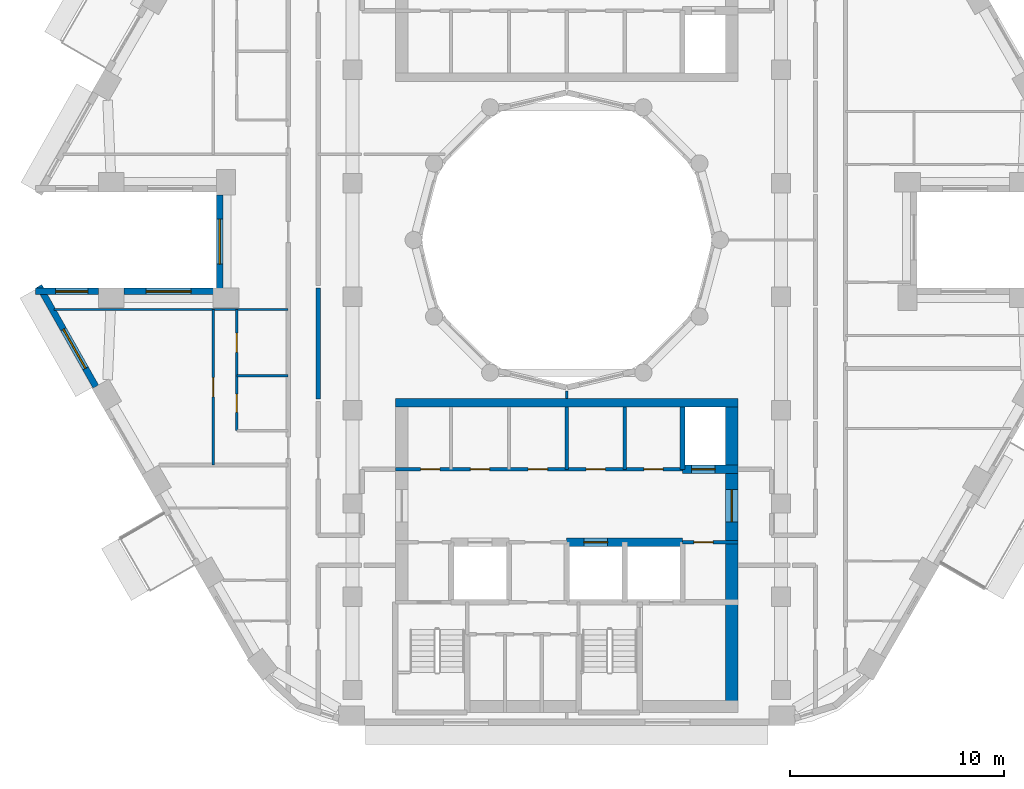
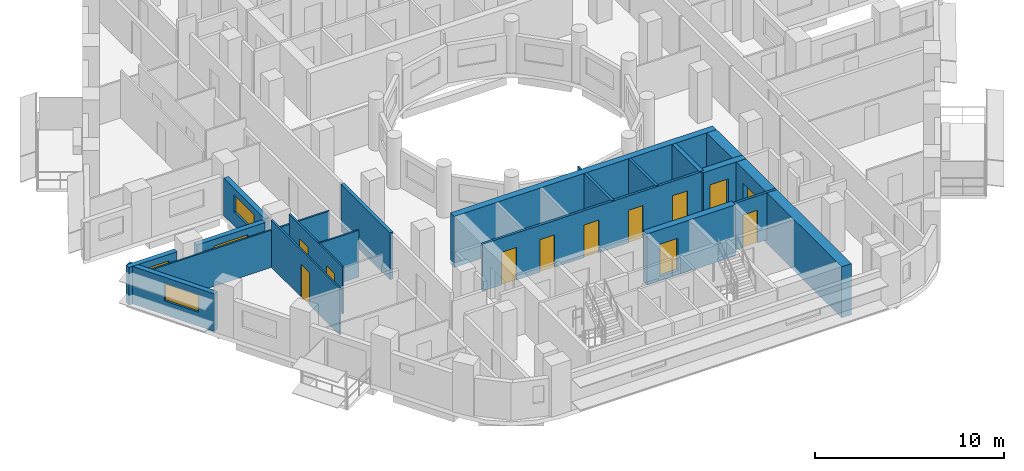
# One storey, part 4 of 17: 19 walls, 12 doors, 4 windows, 16 openings.
"""IFC4 building model written with IfcOpenShell, lengths in metres."""

from ifc_helpers import new_model, si_unit, direction, frame, frame_2d, origin, place, context, subcontext, project, spatial, rectangle, extrude, material, layer, layer_set, type_object, element, fill, save


model = new_model("IFC4")

# Units and contexts
model_context = context("Model", 3, precision=1e-05, world=origin(), true_north=direction((0.0, 1.0)))
body_context = subcontext(model_context, "Body", "Model", "MODEL_VIEW")
ifc_project = project(units=[si_unit("LENGTHUNIT", "METRE"), si_unit("AREAUNIT", "SQUARE_METRE"), si_unit("VOLUMEUNIT", "CUBIC_METRE"), si_unit("PLANEANGLEUNIT", "RADIAN"), si_unit("MASSUNIT", "GRAM", prefix="KILO")], contexts=[model_context])

# Site, building, storey
site_placement = place(None, origin())
site = spatial("IfcSite", under=ifc_project, at=site_placement, CompositionType="ELEMENT")
building_placement = place(site_placement, origin())
building = spatial("IfcBuilding", under=site, at=building_placement, Name="Nakaniwa Court", CompositionType="ELEMENT")
storey_placement = place(building_placement, frame((0.0, 0.0, 209.699951171875)))
storey = spatial("IfcBuildingStorey", under=building, at=storey_placement, Name="L55", CompositionType="ELEMENT", Elevation=209.699951171875)

# Wall
ifc_material_1 = material(Name="Acoustic double stud partition")
ifc_layer_1 = layer(ifc_material_1, 0.199951171875)
ifc_layer_set_1 = layer_set([ifc_layer_1], Name="Acoustic double stud partition")
wall_type_1 = type_object("IfcWallType", Name="Acoustic double stud partition 200", PredefinedType="PARTITIONING", material=ifc_layer_set_1)
wall_1_placement = place(storey_placement, frame((68.39990234375, 72.5771484375, 0.0), z_axis=(0.0, 0.0, 1.0), x_axis=(0.0, 1.0, 0.0)))
element("IfcWall", 1, at=wall_1_placement, inside=storey, type_object=wall_type_1, Name="Partition PW-103", PredefinedType="PARTITIONING", context=body_context, shape_type="SweptSolid", body=[
    extrude(rectangle(XDim=5.185546875, YDim=0.199951171875, at=frame_2d((2.5927734375, 0.0))), origin(), (0.0, 0.0, 1.0), 3.025146484375),
])

# Wall, opening, window
ifc_material_2 = material(Name="Charcoal ceramic cladding")
ifc_layer_2 = layer(ifc_material_2, 0.02, Name="Ceramic cladding")
ifc_material_3 = material(Name="Ventilated air cavity")
ifc_layer_3 = layer(ifc_material_3, 0.04, ventilated=True, Name="Ventilated cavity")
ifc_material_4 = material(Name="Mineral wool insulation")
ifc_layer_4 = layer(ifc_material_4, 0.1, Name="Insulation")
ifc_material_5 = material(Name="Cement bonded sheathing board")
ifc_layer_5 = layer(ifc_material_5, 0.012, Name="Sheathing")
ifc_material_6 = material(Name="Cold-formed galvanised stud frame with mineral wool infill")
ifc_layer_6 = layer(ifc_material_6, 0.1, Name="Stud frame")
ifc_material_7 = material(Name="Fire-rated gypsum plasterboard lining")
ifc_layer_7 = layer(ifc_material_7, 0.028, Name="Lining")
ifc_layer_set_2 = layer_set([ifc_layer_2, ifc_layer_3, ifc_layer_4, ifc_layer_5, ifc_layer_6, ifc_layer_7], Name="Charcoal ceramic faced external wall system")
wall_type_2 = type_object("IfcWallType", Name="Black ceramic faced external wall 300", PredefinedType="SOLIDWALL", material=ifc_layer_set_2)
wall_2_placement = place(storey_placement, frame((63.800537109375, 82.10400390625, 0.0), z_axis=(0.0, 0.0, 1.0), x_axis=(0.0, -1.0, 0.0)))
wall_2 = element("IfcWall", 2, at=wall_2_placement, inside=storey, type_object=wall_type_2, Name="L55 external wall 17", PredefinedType="SOLIDWALL", context=body_context, shape_type="SweptSolid", body=[
    extrude(rectangle(XDim=4.35791015625, YDim=0.300048828125, at=frame_2d((2.178955078125, 0.0))), origin(), (0.0, 0.0, 1.0), 2.425048828125),
])
opening_1_placement = place(wall_2_placement, frame((1.12890625, 0.0, 0.89990234375)))
opening_1 = element("IfcOpeningElement", 3, at=opening_1_placement, cuts=wall_2, Name="Opening W7.19", PredefinedType="OPENING", context=body_context, shape_type="SweptSolid", body=[
    extrude(rectangle(XDim=2.10009765625, YDim=1.10009765625, at=frame_2d((1.050048828125, 0.550048828125))), frame((0.0, 0.159912109375, 0.0), z_axis=(0.0, -1.0, 0.0), x_axis=(1.0, 0.0, 0.0)), (0.0, 0.0, 1.0), 0.320068359375),
])
ifc_material_8 = material(Name="Black anodised aluminium frame with dark low-E laminated double glazing", Category="aluminium")
window_type_1 = type_object("IfcWindowType", Name="Dark glass window 2100x1100 sill 900", PartitioningType="SINGLE_PANEL", PredefinedType="WINDOW", material=ifc_material_8)
window_1_placement = place(opening_1_placement, origin())
window_1 = element("IfcWindow", 4, at=window_1_placement, inside=storey, type_object=window_type_1, Name="L55 habitable room window 17-0", OverallHeight=1.10009765625, OverallWidth=2.10009765625, PartitioningType="SINGLE_PANEL", PredefinedType="WINDOW", context=body_context, shape_type="SweptSolid", body=[
    extrude(rectangle(XDim=2.10009765625, YDim=1.10009765625, at=frame_2d((1.050048828125, 0.550048828125))), frame((0.0, 0.030029296875, 0.0), z_axis=(0.0, -1.0, 0.0), x_axis=(1.0, 0.0, 0.0)), (0.0, 0.0, 1.0), 0.06005859375),
])
fill(opening_1, window_1)

wall_3_placement = place(storey_placement, frame((63.50439453125, 77.60009765625, 0.0), z_axis=(0.0, 0.0, 1.0), x_axis=(-1.0, 0.0, 0.0)))
wall_3 = element("IfcWall", 5, at=wall_3_placement, inside=storey, type_object=wall_type_2, Name="L55 external wall 18", PredefinedType="SOLIDWALL", context=body_context, shape_type="SweptSolid", body=[
    extrude(rectangle(XDim=4.17236328125, YDim=0.300048828125, at=frame_2d((2.086181640625, 0.0))), origin(), (0.0, 0.0, 1.0), 2.425048828125),
])
opening_2_placement = place(wall_3_placement, frame((1.036376953125, 0.0, 0.89990234375)))
opening_2 = element("IfcOpeningElement", 6, at=opening_2_placement, cuts=wall_3, Name="Opening W7.20", PredefinedType="OPENING", context=body_context, shape_type="SweptSolid", body=[
    extrude(rectangle(XDim=2.10009765625, YDim=1.10009765625, at=frame_2d((1.050048828125, 0.550048828125))), frame((0.0, 0.159912109375, 0.0), z_axis=(0.0, -1.0, 0.0), x_axis=(1.0, 0.0, 0.0)), (0.0, 0.0, 1.0), 0.320068359375),
])
window_2_placement = place(opening_2_placement, origin())
window_2 = element("IfcWindow", 7, at=window_2_placement, inside=storey, type_object=window_type_1, Name="L55 habitable room window 18-0", OverallHeight=1.10009765625, OverallWidth=2.10009765625, PartitioningType="SINGLE_PANEL", PredefinedType="WINDOW", context=body_context, shape_type="SweptSolid", body=[
    extrude(rectangle(XDim=2.10009765625, YDim=1.10009765625, at=frame_2d((1.050048828125, 0.550048828125))), frame((0.0, 0.030029296875, 0.0), z_axis=(0.0, -1.0, 0.0), x_axis=(1.0, 0.0, 0.0)), (0.0, 0.0, 1.0), 0.06005859375),
])
fill(opening_2, window_2)

wall_4_placement = place(storey_placement, frame((58.139892578125, 77.60009765625, 0.0), z_axis=(0.0, 0.0, 1.0), x_axis=(-1.0, 0.0, 0.0)))
wall_4 = element("IfcWall", 8, at=wall_4_placement, inside=storey, type_object=wall_type_2, Name="L55 external wall 19", PredefinedType="SOLIDWALL", context=body_context, shape_type="SweptSolid", body=[
    extrude(rectangle(XDim=2.937744140625, YDim=0.300048828125, at=frame_2d((1.46875, 0.0))), origin(), (0.0, 0.0, 1.0), 2.425048828125),
])
opening_3_placement = place(wall_4_placement, frame((0.493896484375, 0.0, 0.89990234375)))
opening_3 = element("IfcOpeningElement", 9, at=opening_3_placement, cuts=wall_4, Name="Opening W5.21", PredefinedType="OPENING", context=body_context, shape_type="SweptSolid", body=[
    extrude(rectangle(XDim=1.5, YDim=1.10009765625, at=frame_2d((0.75, 0.550048828125))), frame((0.0, 0.159912109375, 0.0), z_axis=(0.0, -1.0, 0.0), x_axis=(1.0, 0.0, 0.0)), (0.0, 0.0, 1.0), 0.320068359375),
])
window_type_2 = type_object("IfcWindowType", Name="Dark glass window 1500x1100 sill 900", PartitioningType="SINGLE_PANEL", PredefinedType="WINDOW", material=ifc_material_8)
window_3_placement = place(opening_3_placement, origin())
window_3 = element("IfcWindow", 10, at=window_3_placement, inside=storey, type_object=window_type_2, Name="L55 habitable room window 19-0", OverallHeight=1.10009765625, OverallWidth=1.5, PartitioningType="SINGLE_PANEL", PredefinedType="WINDOW", context=body_context, shape_type="SweptSolid", body=[
    extrude(rectangle(XDim=1.5, YDim=1.10009765625, at=frame_2d((0.75, 0.550048828125))), frame((0.0, 0.030029296875, 0.0), z_axis=(0.0, -1.0, 0.0), x_axis=(1.0, 0.0, 0.0)), (0.0, 0.0, 1.0), 0.06005859375),
])
fill(opening_3, window_3)

wall_5_placement = place(storey_placement, frame((55.372802734375, 77.846435546875, 0.0), z_axis=(0.0, 0.0, 1.0), x_axis=(0.492033360928, -0.870576344575, 0.0)))
wall_5 = element("IfcWall", 11, at=wall_5_placement, inside=storey, type_object=wall_type_2, Name="L55 external wall 20", PredefinedType="SOLIDWALL", context=body_context, shape_type="SweptSolid", body=[
    extrude(rectangle(XDim=5.38671875, YDim=0.300048828125, at=frame_2d((2.693359375, 0.0))), origin(), (0.0, 0.0, 1.0), 2.425048828125),
])
opening_4_placement = place(wall_5_placement, frame((2.308349609375, 0.0, 0.89990234375)))
opening_4 = element("IfcOpeningElement", 12, at=opening_4_placement, cuts=wall_5, Name="Opening W7.22", PredefinedType="OPENING", context=body_context, shape_type="SweptSolid", body=[
    extrude(rectangle(XDim=2.10009765625, YDim=1.10009765625, at=frame_2d((1.050048828125, 0.550048828125))), frame((0.0, 0.159912109375, 0.0), z_axis=(0.0, -1.0, 0.0), x_axis=(1.0, 0.0, 0.0)), (0.0, 0.0, 1.0), 0.320068359375),
])
window_4_placement = place(opening_4_placement, origin())
window_4 = element("IfcWindow", 13, at=window_4_placement, inside=storey, type_object=window_type_1, Name="L55 living window 20-1", OverallHeight=1.10009765625, OverallWidth=2.10009765625, PartitioningType="SINGLE_PANEL", PredefinedType="WINDOW", context=body_context, shape_type="SweptSolid", body=[
    extrude(rectangle(XDim=2.10009765625, YDim=1.10009765625, at=frame_2d((1.050048828125, 0.550048828125))), frame((0.0, 0.030029296875, 0.0), z_axis=(0.0, -1.0, 0.0), x_axis=(1.0, 0.0, 0.0)), (0.0, 0.0, 1.0), 0.06005859375),
])
fill(opening_4, window_4)

# Wall, openings, doors
ifc_material_9 = material(Name="Blockwork partition", Category="masonry")
ifc_layer_8 = layer(ifc_material_9, 0.14990234375)
ifc_layer_set_3 = layer_set([ifc_layer_8], Name="Blockwork partition")
wall_type_3 = type_object("IfcWallType", Name="Blockwork partition 150", PredefinedType="PARTITIONING", material=ifc_layer_set_3)
wall_6_placement = place(storey_placement, frame((72.0, 69.300048828125, 0.0), z_axis=(0.0, 0.0, 1.0), x_axis=(1.0, 0.0, 0.0)))
wall_6 = element("IfcWall", 14, at=wall_6_placement, inside=storey, type_object=wall_type_3, Name="Partition PW-038", PredefinedType="PARTITIONING", context=body_context, shape_type="SweptSolid", body=[
    extrude(rectangle(XDim=13.39990234375, YDim=0.14990234375, at=frame_2d((6.699951171875, 0.0))), origin(), (0.0, 0.0, 1.0), 3.025146484375),
])
opening_5_placement = place(wall_6_placement, frame((1.175048828125, 0.0, 0.0)))
opening_5 = element("IfcOpeningElement", 15, at=opening_5_placement, cuts=wall_6, Name="Opening D-05-10", PredefinedType="OPENING", context=body_context, shape_type="SweptSolid", body=[
    extrude(rectangle(XDim=0.89990234375, YDim=2.10009765625, at=frame_2d((0.449951171875, 1.050048828125))), frame((0.0, 0.0849609375, 0.0), z_axis=(0.0, -1.0, 0.0), x_axis=(1.0, 0.0, 0.0)), (0.0, 0.0, 1.0), 0.169921875),
])
opening_6_placement = place(wall_6_placement, frame((3.5, 0.0, 0.0)))
opening_6 = element("IfcOpeningElement", 16, at=opening_6_placement, cuts=wall_6, Name="Opening D-05-11", PredefinedType="OPENING", context=body_context, shape_type="SweptSolid", body=[
    extrude(rectangle(XDim=0.89990234375, YDim=2.10009765625, at=frame_2d((0.449951171875, 1.050048828125))), frame((0.0, 0.0849609375, 0.0), z_axis=(0.0, -1.0, 0.0), x_axis=(1.0, 0.0, 0.0)), (0.0, 0.0, 1.0), 0.169921875),
])
opening_7_placement = place(wall_6_placement, frame((6.199951171875, 0.0, 0.0)))
opening_7 = element("IfcOpeningElement", 17, at=opening_7_placement, cuts=wall_6, Name="Opening D-05-12", PredefinedType="OPENING", context=body_context, shape_type="SweptSolid", body=[
    extrude(rectangle(XDim=0.89990234375, YDim=2.10009765625, at=frame_2d((0.449951171875, 1.050048828125))), frame((0.0, 0.0849609375, 0.0), z_axis=(0.0, -1.0, 0.0), x_axis=(1.0, 0.0, 0.0)), (0.0, 0.0, 1.0), 0.169921875),
])
opening_8_placement = place(wall_6_placement, frame((8.89990234375, 0.0, 0.0)))
opening_8 = element("IfcOpeningElement", 18, at=opening_8_placement, cuts=wall_6, Name="Opening D-05-13", PredefinedType="OPENING", context=body_context, shape_type="SweptSolid", body=[
    extrude(rectangle(XDim=0.89990234375, YDim=2.10009765625, at=frame_2d((0.449951171875, 1.050048828125))), frame((0.0, 0.0849609375, 0.0), z_axis=(0.0, -1.0, 0.0), x_axis=(1.0, 0.0, 0.0)), (0.0, 0.0, 1.0), 0.169921875),
])
opening_9_placement = place(wall_6_placement, frame((11.60009765625, 0.0, 0.0)))
opening_9 = element("IfcOpeningElement", 19, at=opening_9_placement, cuts=wall_6, Name="Opening D-05-14", PredefinedType="OPENING", context=body_context, shape_type="SweptSolid", body=[
    extrude(rectangle(XDim=0.89990234375, YDim=2.10009765625, at=frame_2d((0.449951171875, 1.050048828125))), frame((0.0, 0.0849609375, 0.0), z_axis=(0.0, -1.0, 0.0), x_axis=(1.0, 0.0, 0.0)), (0.0, 0.0, 1.0), 0.169921875),
])
ifc_material_10 = material(Name="Fire rated steel door set", Category="steel")
door_type_1 = type_object("IfcDoorType", Name="Service room door 900", OperationType="NOTDEFINED", PredefinedType="DOOR", material=ifc_material_10)
door_1_placement = place(opening_5_placement, origin())
door_1 = element("IfcDoor", 20, at=door_1_placement, inside=storey, type_object=door_type_1, Name="Door D-05-10 L55-015", OperationType="SINGLE_SWING_RIGHT", OverallHeight=2.10009765625, OverallWidth=0.89990234375, PredefinedType="DOOR", context=body_context, shape_type="SweptSolid", body=[
    extrude(rectangle(XDim=0.89990234375, YDim=2.10009765625, at=frame_2d((0.449951171875, 1.050048828125))), frame((0.0, 0.02490234375, 0.0), z_axis=(0.0, -1.0, 0.0), x_axis=(1.0, 0.0, 0.0)), (0.0, 0.0, 1.0), 0.050048828125),
])
fill(opening_5, door_1)
door_2_placement = place(opening_6_placement, origin())
door_2 = element("IfcDoor", 21, at=door_2_placement, inside=storey, type_object=door_type_1, Name="Door D-05-11 L55-016", OperationType="SINGLE_SWING_LEFT", OverallHeight=2.10009765625, OverallWidth=0.89990234375, PredefinedType="DOOR", context=body_context, shape_type="SweptSolid", body=[
    extrude(rectangle(XDim=0.89990234375, YDim=2.10009765625, at=frame_2d((0.449951171875, 1.050048828125))), frame((0.0, 0.02490234375, 0.0), z_axis=(0.0, -1.0, 0.0), x_axis=(1.0, 0.0, 0.0)), (0.0, 0.0, 1.0), 0.050048828125),
])
fill(opening_6, door_2)
door_3_placement = place(opening_7_placement, origin())
door_3 = element("IfcDoor", 22, at=door_3_placement, inside=storey, type_object=door_type_1, Name="Door D-05-12 L55-017", OperationType="SINGLE_SWING_RIGHT", OverallHeight=2.10009765625, OverallWidth=0.89990234375, PredefinedType="DOOR", context=body_context, shape_type="SweptSolid", body=[
    extrude(rectangle(XDim=0.89990234375, YDim=2.10009765625, at=frame_2d((0.449951171875, 1.050048828125))), frame((0.0, 0.02490234375, 0.0), z_axis=(0.0, -1.0, 0.0), x_axis=(1.0, 0.0, 0.0)), (0.0, 0.0, 1.0), 0.050048828125),
])
fill(opening_7, door_3)
door_4_placement = place(opening_8_placement, origin())
door_4 = element("IfcDoor", 23, at=door_4_placement, inside=storey, type_object=door_type_1, Name="Door D-05-13 L55-018", OperationType="SINGLE_SWING_LEFT", OverallHeight=2.10009765625, OverallWidth=0.89990234375, PredefinedType="DOOR", context=body_context, shape_type="SweptSolid", body=[
    extrude(rectangle(XDim=0.89990234375, YDim=2.10009765625, at=frame_2d((0.449951171875, 1.050048828125))), frame((0.0, 0.02490234375, 0.0), z_axis=(0.0, -1.0, 0.0), x_axis=(1.0, 0.0, 0.0)), (0.0, 0.0, 1.0), 0.050048828125),
])
fill(opening_8, door_4)
door_5_placement = place(opening_9_placement, origin())
door_5 = element("IfcDoor", 24, at=door_5_placement, inside=storey, type_object=door_type_1, Name="Door D-05-14 L55-019", OperationType="SINGLE_SWING_RIGHT", OverallHeight=2.10009765625, OverallWidth=0.89990234375, PredefinedType="DOOR", context=body_context, shape_type="SweptSolid", body=[
    extrude(rectangle(XDim=0.89990234375, YDim=2.10009765625, at=frame_2d((0.449951171875, 1.050048828125))), frame((0.0, 0.02490234375, 0.0), z_axis=(0.0, -1.0, 0.0), x_axis=(1.0, 0.0, 0.0)), (0.0, 0.0, 1.0), 0.050048828125),
])
fill(opening_9, door_5)

# Walls
for number, where, z_axis, x_axis, name in (
    (25, (80.0, 69.300048828125, 0.0), (0.0, 0.0, 1.0), (0.0, 1.0, 0.0), "Partition PW-045"),
    (26, (82.699951171875, 69.300048828125, 0.0), (0.0, 0.0, 1.0), (0.0, 1.0, 0.0), "Partition PW-046"),
):
    element("IfcWall", number, at=place(storey_placement, frame(where, z_axis=z_axis, x_axis=x_axis)), inside=storey, type_object=wall_type_3, Name=name, PredefinedType="PARTITIONING", context=body_context, shape_type="SweptSolid", body=[
        extrude(rectangle(XDim=2.89990234375, YDim=0.14990234375, at=frame_2d((1.449951171875, 0.0))), origin(), (0.0, 0.0, 1.0), 3.025146484375),
    ])

# Wall, opening, door
wall_7_placement = place(storey_placement, frame((88.0, 65.89990234375, 0.0), z_axis=(0.0, 0.0, 1.0), x_axis=(-1.0, 0.0, 0.0)))
wall_7 = element("IfcWall", 27, at=wall_7_placement, inside=storey, type_object=wall_type_3, Name="Partition PW-049", PredefinedType="PARTITIONING", context=body_context, shape_type="SweptSolid", body=[
    extrude(rectangle(XDim=2.60302734375, YDim=0.14990234375, at=frame_2d((1.301513671875, 0.0))), origin(), (0.0, 0.0, 1.0), 3.025146484375),
])
opening_10_placement = place(wall_7_placement, frame((1.175048828125, 0.0, 0.0)))
opening_10 = element("IfcOpeningElement", 28, at=opening_10_placement, cuts=wall_7, Name="Opening D-05-15", PredefinedType="OPENING", context=body_context, shape_type="SweptSolid", body=[
    extrude(rectangle(XDim=0.89990234375, YDim=2.10009765625, at=frame_2d((0.449951171875, 1.050048828125))), frame((0.0, 0.0849609375, 0.0), z_axis=(0.0, -1.0, 0.0), x_axis=(1.0, 0.0, 0.0)), (0.0, 0.0, 1.0), 0.169921875),
])
door_6_placement = place(opening_10_placement, origin())
door_6 = element("IfcDoor", 29, at=door_6_placement, inside=storey, type_object=door_type_1, Name="Door D-05-15 L55-022", OperationType="SINGLE_SWING_LEFT", OverallHeight=2.10009765625, OverallWidth=0.89990234375, PredefinedType="DOOR", context=body_context, shape_type="SweptSolid", body=[
    extrude(rectangle(XDim=0.89990234375, YDim=2.10009765625, at=frame_2d((0.449951171875, 1.050048828125))), frame((0.0, 0.02490234375, 0.0), z_axis=(0.0, -1.0, 0.0), x_axis=(1.0, 0.0, 0.0)), (0.0, 0.0, 1.0), 0.050048828125),
])
fill(opening_10, door_6)

ifc_material_11 = material(Name="Concrete C80/100", Category="concrete")
ifc_layer_9 = layer(ifc_material_11, 0.60009765625)
ifc_layer_set_4 = layer_set([ifc_layer_9], Name="Concrete C80/100")
wall_type_4 = type_object("IfcWallType", Name="Concrete core side wall 600 C80", PredefinedType="SHEAR", material=ifc_layer_set_4)
wall_8_placement = place(storey_placement, frame((87.699951171875, 72.199951171875, -0.27490234375), z_axis=(0.0, 0.0, 1.0), x_axis=(0.0, -1.0, 0.0)))
wall_8 = element("IfcWall", 30, at=wall_8_placement, inside=storey, type_object=wall_type_4, Name="Core wall SW-43", PredefinedType="SHEAR", context=body_context, shape_type="SweptSolid", body=[
    extrude(rectangle(XDim=14.25, YDim=0.60009765625, at=frame_2d((7.125, 0.0))), origin(), (0.0, 0.0, 1.0), 3.300048828125),
])
opening_11_placement = place(wall_8_placement, frame((3.85205078125, 0.0, 0.27490234375)))
opening_11 = element("IfcOpeningElement", 31, at=opening_11_placement, cuts=wall_8, Name="Opening D-07-03", PredefinedType="OPENING", context=body_context, shape_type="SweptSolid", body=[
    extrude(rectangle(XDim=1.5, YDim=2.10009765625, at=frame_2d((0.75, 1.050048828125))), frame((0.0, 0.31005859375, 0.0), z_axis=(0.0, -1.0, 0.0), x_axis=(1.0, 0.0, 0.0)), (0.0, 0.0, 1.0), 0.6201171875),
])
ifc_material_12 = material(Name="Glazed fire rated steel double door set", Category="steel")
door_type_2 = type_object("IfcDoorType", Name="Lobby double door 1500", OperationType="NOTDEFINED", PredefinedType="DOOR", material=ifc_material_12)
door_7_placement = place(opening_11_placement, origin())
door_7 = element("IfcDoor", 32, at=door_7_placement, inside=storey, type_object=door_type_2, Name="Door D-07-03 L55-063", OperationType="DOUBLE_DOOR_SINGLE_SWING", OverallHeight=2.10009765625, OverallWidth=1.5, PredefinedType="DOOR", context=body_context, shape_type="SweptSolid", body=[
    extrude(rectangle(XDim=1.5, YDim=2.10009765625, at=frame_2d((0.75, 1.050048828125))), frame((0.0, 0.02490234375, 0.0), z_axis=(0.0, -1.0, 0.0), x_axis=(1.0, 0.0, 0.0)), (0.0, 0.0, 1.0), 0.050048828125),
])
fill(opening_11, door_7)

ifc_layer_10 = layer(ifc_material_11, 0.39990234375)
ifc_layer_set_5 = layer_set([ifc_layer_10], Name="Concrete C80/100")
wall_type_5 = type_object("IfcWallType", Name="Concrete core spine wall 400 C80", PredefinedType="SHEAR", material=ifc_layer_set_5)
wall_9_placement = place(storey_placement, frame((85.39990234375, 69.300048828125, -0.27490234375), z_axis=(0.0, 0.0, 1.0), x_axis=(1.0, 0.0, 0.0)))
wall_9 = element("IfcWall", 33, at=wall_9_placement, inside=storey, type_object=wall_type_5, Name="Core wall SW-42", PredefinedType="SHEAR", context=body_context, shape_type="SweptSolid", body=[
    extrude(rectangle(XDim=2.60009765625, YDim=0.39990234375, at=frame_2d((1.300048828125, 0.0))), origin(), (0.0, 0.0, 1.0), 3.300048828125),
])
opening_12_placement = place(wall_9_placement, frame((0.425048828125, 0.0, 0.27490234375)))
opening_12 = element("IfcOpeningElement", 34, at=opening_12_placement, cuts=wall_9, Name="Opening LD05", PredefinedType="OPENING", context=body_context, shape_type="SweptSolid", body=[
    extrude(rectangle(XDim=1.10009765625, YDim=2.10009765625, at=frame_2d((0.550048828125, 1.050048828125))), frame((0.0, 0.2099609375, 0.0), z_axis=(0.0, -1.0, 0.0), x_axis=(1.0, 0.0, 0.0)), (0.0, 0.0, 1.0), 0.419921875),
])
ifc_material_13 = material(Name="Stainless steel sliding lift landing door", Category="steel")
door_type_3 = type_object("IfcDoorType", Name="Lift landing door 1100", OperationType="NOTDEFINED", PredefinedType="DOOR", material=ifc_material_13)
door_8_placement = place(opening_12_placement, origin())
door_8 = element("IfcDoor", 35, at=door_8_placement, inside=storey, type_object=door_type_3, Name="Lift landing door LD05 L55-005", OperationType="SLIDING_TO_LEFT", OverallHeight=2.10009765625, OverallWidth=1.10009765625, PredefinedType="DOOR", context=body_context, shape_type="SweptSolid", body=[
    extrude(rectangle(XDim=1.10009765625, YDim=2.10009765625, at=frame_2d((0.550048828125, 1.050048828125))), frame((0.0, 0.02490234375, 0.0), z_axis=(0.0, -1.0, 0.0), x_axis=(1.0, 0.0, 0.0)), (0.0, 0.0, 1.0), 0.050048828125),
])
fill(opening_12, door_8)

wall_10_placement = place(storey_placement, frame((79.9970703125, 65.89990234375, -0.27490234375), z_axis=(0.0, 0.0, 1.0), x_axis=(1.0, 0.0, 0.0)))
wall_10 = element("IfcWall", 36, at=wall_10_placement, inside=storey, type_object=wall_type_5, Name="Core wall SW-51", PredefinedType="SHEAR", context=body_context, shape_type="SweptSolid", body=[
    extrude(rectangle(XDim=5.406005859375, YDim=0.39990234375, at=frame_2d((2.703125, 0.0))), origin(), (0.0, 0.0, 1.0), 3.300048828125),
])
opening_13_placement = place(wall_10_placement, frame((0.802978515625, 0.0, 0.27490234375)))
opening_13 = element("IfcOpeningElement", 37, at=opening_13_placement, cuts=wall_10, Name="Opening LD07", PredefinedType="OPENING", context=body_context, shape_type="SweptSolid", body=[
    extrude(rectangle(XDim=1.10009765625, YDim=2.10009765625, at=frame_2d((0.550048828125, 1.050048828125))), frame((0.0, 0.2099609375, 0.0), z_axis=(0.0, -1.0, 0.0), x_axis=(1.0, 0.0, 0.0)), (0.0, 0.0, 1.0), 0.419921875),
])
door_9_placement = place(opening_13_placement, origin())
door_9 = element("IfcDoor", 38, at=door_9_placement, inside=storey, type_object=door_type_3, Name="Lift landing door LD07 L55-007", OperationType="SLIDING_TO_LEFT", OverallHeight=2.10009765625, OverallWidth=1.10009765625, PredefinedType="DOOR", context=body_context, shape_type="SweptSolid", body=[
    extrude(rectangle(XDim=1.10009765625, YDim=2.10009765625, at=frame_2d((0.550048828125, 1.050048828125))), frame((0.0, 0.02490234375, 0.0), z_axis=(0.0, -1.0, 0.0), x_axis=(1.0, 0.0, 0.0)), (0.0, 0.0, 1.0), 0.050048828125),
])
fill(opening_13, door_9)

# Walls
ifc_layer_11 = layer(ifc_material_11, 0.39990234375)
ifc_layer_set_6 = layer_set([ifc_layer_11], Name="Concrete C80/100")
wall_type_6 = type_object("IfcWallType", Name="Concrete core well wall 400 C80", PredefinedType="SHEAR", material=ifc_layer_set_6)
wall_11_placement = place(storey_placement, frame((72.00390625, 72.39990234375, -0.27490234375), z_axis=(0.0, 0.0, 1.0), x_axis=(1.0, 0.0, 0.0)))
element("IfcWall", 39, at=wall_11_placement, inside=storey, type_object=wall_type_6, Name="Core wall SW-144", PredefinedType="SHEAR", context=body_context, shape_type="SweptSolid", body=[
    extrude(rectangle(XDim=15.9921875, YDim=0.39990234375, at=frame_2d((7.99609375, 0.0))), origin(), (0.0, 0.0, 1.0), 3.300048828125),
])
ifc_layer_12 = layer(ifc_material_11, 0.25)
ifc_layer_set_7 = layer_set([ifc_layer_12], Name="Concrete C80/100")
wall_type_7 = type_object("IfcWallType", Name="Concrete shaft wall 250 C80", PredefinedType="SHEAR", material=ifc_layer_set_7)
wall_12_placement = place(storey_placement, frame((85.39990234375, 69.300048828125, -0.27490234375), z_axis=(0.0, 0.0, 1.0), x_axis=(0.0, 1.0, 0.0)))
element("IfcWall", 40, at=wall_12_placement, inside=storey, type_object=wall_type_7, Name="Core wall SW-41", PredefinedType="SHEAR", context=body_context, shape_type="SweptSolid", body=[
    extrude(rectangle(XDim=2.89990234375, YDim=0.25, at=frame_2d((1.449951171875, 0.0))), origin(), (0.0, 0.0, 1.0), 3.300048828125),
])
ifc_material_14 = material(Name="Single stud plasterboard partition")
ifc_layer_13 = layer(ifc_material_14, 0.10009765625)
ifc_layer_set_8 = layer_set([ifc_layer_13], Name="Single stud plasterboard partition")
wall_type_8 = type_object("IfcWallType", Name="Single stud plasterboard partition 100", PredefinedType="PARTITIONING", material=ifc_layer_set_8)
wall_13_placement = place(storey_placement, frame((80.0, 72.60009765625, 0.0), z_axis=(0.0, 0.0, 1.0), x_axis=(0.0, 1.0, 0.0)))
element("IfcWall", 41, at=wall_13_placement, inside=storey, type_object=wall_type_8, Name="Partition PW-113", PredefinedType="PARTITIONING", context=body_context, shape_type="SweptSolid", body=[
    extrude(rectangle(XDim=0.351806640625, YDim=0.10009765625, at=frame_2d((0.17578125, 0.0))), origin(), (0.0, 0.0, 1.0), 3.025146484375),
])
wall_14_placement = place(storey_placement, frame((64.59912109375, 73.66796875, 0.0), z_axis=(0.0, 0.0, 1.0), x_axis=(1.0, 0.0, 0.0)))
element("IfcWall", 42, at=wall_14_placement, inside=storey, type_object=wall_type_8, Name="Partition PW-130", PredefinedType="PARTITIONING", context=body_context, shape_type="SweptSolid", body=[
    extrude(rectangle(XDim=2.39990234375, YDim=0.10009765625, at=frame_2d((1.199951171875, 0.0))), origin(), (0.0, 0.0, 1.0), 3.025146484375),
])

# Wall, openings, doors
wall_15_placement = place(storey_placement, frame((64.59912109375, 76.75, 0.0), z_axis=(0.0, 0.0, 1.0), x_axis=(0.0, -1.0, 0.0)))
wall_15 = element("IfcWall", 43, at=wall_15_placement, inside=storey, type_object=wall_type_8, Name="Partition PW-131", PredefinedType="PARTITIONING", context=body_context, shape_type="SweptSolid", body=[
    extrude(rectangle(XDim=5.64990234375, YDim=0.10009765625, at=frame_2d((2.824951171875, 0.0))), origin(), (0.0, 0.0, 1.0), 3.025146484375),
])
opening_14_placement = place(wall_15_placement, frame((3.94091796875, 0.0, 0.0)))
opening_14 = element("IfcOpeningElement", 44, at=opening_14_placement, cuts=wall_15, Name="Opening D-03-04", PredefinedType="OPENING", context=body_context, shape_type="SweptSolid", body=[
    extrude(rectangle(XDim=0.85009765625, YDim=2.10009765625, at=frame_2d((0.425048828125, 1.050048828125))), frame((0.0, 0.06005859375, 0.0), z_axis=(0.0, -1.0, 0.0), x_axis=(1.0, 0.0, 0.0)), (0.0, 0.0, 1.0), 0.1201171875),
])
opening_15_placement = place(wall_15_placement, frame((1.091064453125, 0.0, 0.0)))
opening_15 = element("IfcOpeningElement", 45, at=opening_15_placement, cuts=wall_15, Name="Opening D-33-08", PredefinedType="OPENING", context=body_context, shape_type="SweptSolid", body=[
    extrude(rectangle(XDim=0.89990234375, YDim=2.10009765625, at=frame_2d((0.449951171875, 1.050048828125))), frame((0.0, 0.06005859375, 0.0), z_axis=(0.0, -1.0, 0.0), x_axis=(1.0, 0.0, 0.0)), (0.0, 0.0, 1.0), 0.1201171875),
])
ifc_material_15 = material(Name="Moisture sealed timber door set", Category="wood")
door_type_4 = type_object("IfcDoorType", Name="Bathroom door 850", OperationType="NOTDEFINED", PredefinedType="DOOR", material=ifc_material_15)
door_10_placement = place(opening_14_placement, origin())
door_10 = element("IfcDoor", 46, at=door_10_placement, inside=storey, type_object=door_type_4, Name="Door D-03-04 L55-047", OperationType="SINGLE_SWING_RIGHT", OverallHeight=2.10009765625, OverallWidth=0.85009765625, PredefinedType="DOOR", context=body_context, shape_type="SweptSolid", body=[
    extrude(rectangle(XDim=0.85009765625, YDim=2.10009765625, at=frame_2d((0.425048828125, 1.050048828125))), frame((0.0, 0.02490234375, 0.0), z_axis=(0.0, -1.0, 0.0), x_axis=(1.0, 0.0, 0.0)), (0.0, 0.0, 1.0), 0.050048828125),
])
fill(opening_14, door_10)
ifc_material_16 = material(Name="Solid core timber door set, black veneer", Category="wood")
door_type_5 = type_object("IfcDoorType", Name="Internal door 900", OperationType="NOTDEFINED", PredefinedType="DOOR", material=ifc_material_16)
door_11_placement = place(opening_15_placement, origin())
door_11 = element("IfcDoor", 47, at=door_11_placement, inside=storey, type_object=door_type_5, Name="Door D-33-08 L55-048", OperationType="SINGLE_SWING_LEFT", OverallHeight=2.10009765625, OverallWidth=0.89990234375, PredefinedType="DOOR", context=body_context, shape_type="SweptSolid", body=[
    extrude(rectangle(XDim=0.89990234375, YDim=2.10009765625, at=frame_2d((0.449951171875, 1.050048828125))), frame((0.0, 0.02490234375, 0.0), z_axis=(0.0, -1.0, 0.0), x_axis=(1.0, 0.0, 0.0)), (0.0, 0.0, 1.0), 0.050048828125),
])
fill(opening_15, door_11)

# Wall
wall_16_placement = place(storey_placement, frame((56.06884765625, 76.75, 0.0), z_axis=(0.0, 0.0, 1.0), x_axis=(1.0, 0.0, 0.0)))
element("IfcWall", 48, at=wall_16_placement, inside=storey, type_object=wall_type_8, Name="Partition PW-134", PredefinedType="PARTITIONING", context=body_context, shape_type="SweptSolid", body=[
    extrude(rectangle(XDim=10.93017578125, YDim=0.10009765625, at=frame_2d((5.465087890625, 0.0))), origin(), (0.0, 0.0, 1.0), 2.405029296875),
])

# Wall, opening, door
wall_17_placement = place(storey_placement, frame((63.4990234375, 69.5, 0.0), z_axis=(0.0, 0.0, 1.0), x_axis=(0.0, 1.0, 0.0)))
wall_17 = element("IfcWall", 49, at=wall_17_placement, inside=storey, type_object=wall_type_8, Name="Partition PW-135", PredefinedType="PARTITIONING", context=body_context, shape_type="SweptSolid", body=[
    extrude(rectangle(XDim=7.25, YDim=0.10009765625, at=frame_2d((3.625, 0.0))), origin(), (0.0, 0.0, 1.0), 3.025146484375),
])
opening_16_placement = place(wall_17_placement, frame((3.175048828125, 0.0, 0.0)))
opening_16 = element("IfcOpeningElement", 50, at=opening_16_placement, cuts=wall_17, Name="Opening D-33-09", PredefinedType="OPENING", context=body_context, shape_type="SweptSolid", body=[
    extrude(rectangle(XDim=0.89990234375, YDim=2.10009765625, at=frame_2d((0.449951171875, 1.050048828125))), frame((0.0, 0.06005859375, 0.0), z_axis=(0.0, -1.0, 0.0), x_axis=(1.0, 0.0, 0.0)), (0.0, 0.0, 1.0), 0.1201171875),
])
door_12_placement = place(opening_16_placement, origin())
door_12 = element("IfcDoor", 51, at=door_12_placement, inside=storey, type_object=door_type_5, Name="Door D-33-09 L55-049", OperationType="SINGLE_SWING_RIGHT", OverallHeight=2.10009765625, OverallWidth=0.89990234375, PredefinedType="DOOR", context=body_context, shape_type="SweptSolid", body=[
    extrude(rectangle(XDim=0.89990234375, YDim=2.10009765625, at=frame_2d((0.449951171875, 1.050048828125))), frame((0.0, 0.02490234375, 0.0), z_axis=(0.0, -1.0, 0.0), x_axis=(1.0, 0.0, 0.0)), (0.0, 0.0, 1.0), 0.050048828125),
])
fill(opening_16, door_12)

save(model, "model.ifc")
